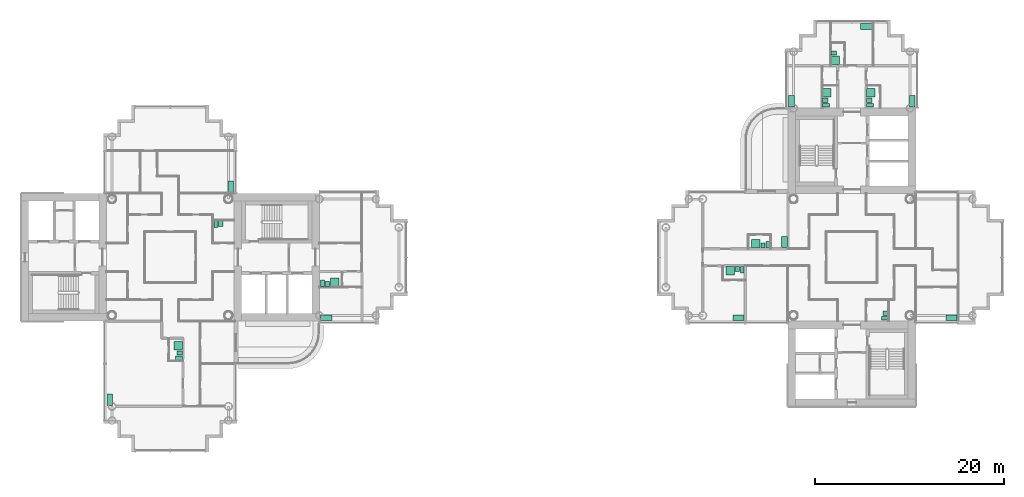
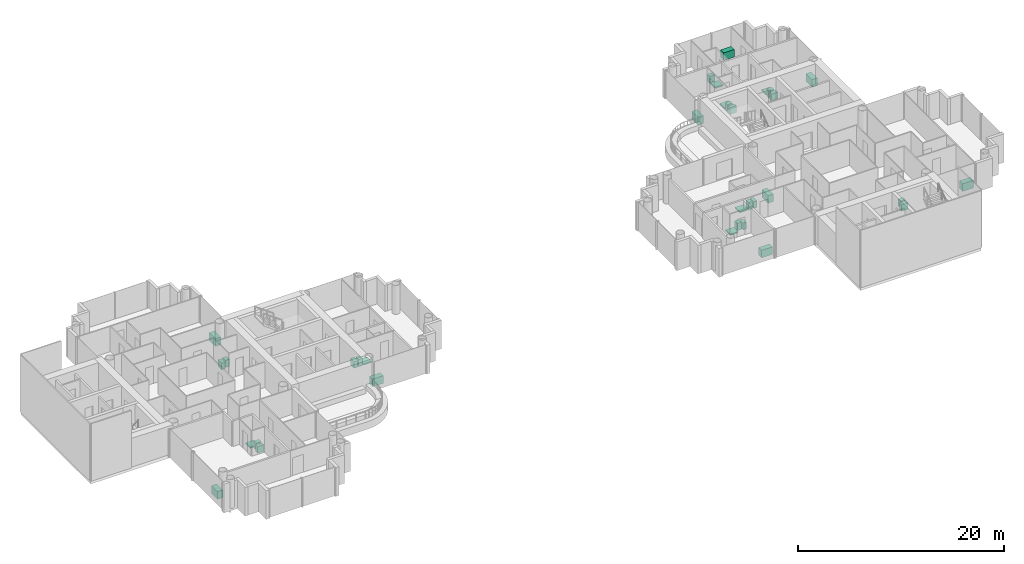
# One storey, part 20 of 20: 33 sanitary terminals.
"""IFC4 building model written with IfcOpenShell, lengths in metres."""

from ifc_helpers import new_model, si_unit, direction, frame, origin, origin_2d, place, context, subcontext, project, spatial, rectangle, extrude, material, type_object, element, save


model = new_model("IFC4")

# Units and contexts
model_context = context("Model", 3, precision=1e-05, world=origin(), true_north=direction((0.0, 1.0)))
body_context = subcontext(model_context, "Body", "Model", "MODEL_VIEW")
ifc_project = project(units=[si_unit("LENGTHUNIT", "METRE"), si_unit("AREAUNIT", "SQUARE_METRE"), si_unit("VOLUMEUNIT", "CUBIC_METRE"), si_unit("PLANEANGLEUNIT", "RADIAN"), si_unit("MASSUNIT", "GRAM", prefix="KILO")], contexts=[model_context])

# Site, building, storey
site_placement = place(None, origin())
site = spatial("IfcSite", under=ifc_project, at=site_placement, CompositionType="ELEMENT")
building_placement = place(site_placement, origin())
building = spatial("IfcBuilding", under=site, at=building_placement, Name="Ipe Terrace Towers", CompositionType="ELEMENT")
storey_placement = place(building_placement, frame((0.0, 0.0, 167.699951171875)))
storey = spatial("IfcBuildingStorey", under=building, at=storey_placement, Name="L46", CompositionType="ELEMENT", Elevation=167.699951171875)

# Sanitary terminals
ifc_material_1 = material(Name="Stainless sink unit", Category="metal")
sanitary_terminal_type_1 = type_object("IfcSanitaryTerminalType", Name="Kitchen sink unit", PredefinedType="SINK", material=ifc_material_1)
for number, where, z_axis, x_axis, name in (
    (1, (-29.6201171875, 7.469970703125, 0.0), (0.0, 0.0, 1.0), (0.0, -1.0, 0.0), "Kitchen sink unit"),
    (2, (-42.3798828125, -15.030029296875, 0.0), (0.0, 0.0, 1.0), (0.0, 1.0, 0.0), "Kitchen sink unit"),
    (3, (-19.530029296875, -6.3798828125, 0.0), (0.0, 0.0, 1.0), (-1.0, 0.0, 0.0), "Kitchen sink unit"),
    (4, (24.030029296875, -6.3798828125, 0.0), (0.0, 0.0, 1.0), (-1.0, 0.0, 0.0), "Kitchen sink unit"),
    (5, (28.8798828125, 1.6201171875, 0.0), (0.0, 0.0, 1.0), (0.0, -1.0, 0.0), "Kitchen sink unit"),
    (6, (46.530029296875, -6.3798828125, 0.0), (0.0, 0.0, 1.0), (-1.0, 0.0, 0.0), "Kitchen sink unit"),
    (7, (29.6201171875, 16.469970703125, 0.0), (0.0, 0.0, 1.0), (0.0, 1.0, 0.0), "Kitchen sink unit"),
    (8, (42.3798828125, 16.469970703125, 0.0), (0.0, 0.0, 1.0), (0.0, -1.0, 0.0), "Kitchen sink unit"),
    (9, (37.530029296875, 24.3798828125, 0.0), (0.0, 0.0, 1.0), (1.0, 0.0, 0.0), "Kitchen sink unit"),
):
    element("IfcSanitaryTerminal", number, at=place(storey_placement, frame(where, z_axis=z_axis, x_axis=x_axis)), inside=storey, type_object=sanitary_terminal_type_1, Name=name, PredefinedType="SINK", context=body_context, shape_type="SweptSolid", body=[
        extrude(rectangle(XDim=1.199951171875, YDim=0.60009765625, at=origin_2d()), origin(), (0.0, 0.0, 1.0), 0.89990234375),
    ])
ifc_material_2 = material(Name="Acrylic", Category="plastic")
sanitary_terminal_type_2 = type_object("IfcSanitaryTerminalType", Name="Shower tray", PredefinedType="SHOWER", material=ifc_material_2)
for number, where, z_axis, x_axis, name in (
    (10, (-35.169921875, -9.330078125, 0.0), (0.0, 0.0, 1.0), (-1.0, 0.0, 0.0), "Shower tray"),
    (11, (-18.6298828125, -2.6298828125, 0.0), (0.0, 0.0, 1.0), (0.0, 1.0, 0.0), "Shower tray"),
    (12, (23.1298828125, -1.419921875, 0.0), (0.0, 0.0, 1.0), (0.0, -1.0, 0.0), "Shower tray"),
    (13, (25.830078125, 1.419921875, 0.0), (0.0, 0.0, 1.0), (0.0, 1.0, 0.0), "Shower tray"),
    (14, (33.3701171875, 17.3701171875, 0.0), (0.0, 0.0, 1.0), (1.0, 0.0, 0.0), "Shower tray"),
    (15, (38.02001953125, 17.3701171875, 0.0), (0.0, 0.0, 1.0), (1.0, 0.0, 0.0), "Shower tray"),
    (16, (34.27001953125, 20.820068359375, 0.0), (0.0, 0.0, 1.0), (1.0, 0.0, 0.0), "Shower tray"),
):
    element("IfcSanitaryTerminal", number, at=place(storey_placement, frame(where, z_axis=z_axis, x_axis=x_axis)), inside=storey, type_object=sanitary_terminal_type_2, Name=name, PredefinedType="SHOWER", context=body_context, shape_type="SweptSolid", body=[
        extrude(rectangle(XDim=0.89990234375, YDim=0.89990234375, at=origin_2d()), origin(), (0.0, 0.0, 1.0), 0.14990234375),
    ])
ifc_material_3 = material(Name="Vitreous china", Category="ceramic")
sanitary_terminal_type_3 = type_object("IfcSanitaryTerminalType", Name="Wash basin", PredefinedType="WASHHANDBASIN", material=ifc_material_3)
for number, where, z_axis, x_axis, name in (
    (17, (-30.655029296875, 3.554931640625, 0.0), (0.0, 0.0, 1.0), (0.0, -1.0, 0.0), "Wash basin"),
    (18, (-34.9951171875, -10.10498046875, 0.0), (0.0, 0.0, 1.0), (-1.0, 0.0, 0.0), "Wash basin"),
    (19, (-19.405029296875, -2.804931640625, 0.0), (0.0, 0.0, 1.0), (0.0, 1.0, 0.0), "Wash basin"),
    (20, (39.554931640625, -5.905029296875, 0.0), (0.0, 0.0, 1.0), (-1.0, 0.0, 0.0), "Wash basin"),
    (21, (23.905029296875, -1.2451171875, 0.0), (0.0, 0.0, 1.0), (0.0, -1.0, 0.0), "Wash basin"),
    (22, (26.60498046875, 1.2451171875, 0.0), (0.0, 0.0, 1.0), (0.0, 1.0, 0.0), "Wash basin"),
    (23, (33.195068359375, 16.594970703125, 0.0), (0.0, 0.0, 1.0), (1.0, 0.0, 0.0), "Wash basin"),
    (24, (37.844970703125, 16.594970703125, 0.0), (0.0, 0.0, 1.0), (1.0, 0.0, 0.0), "Wash basin"),
    (25, (34.094970703125, 21.594970703125, 0.0), (0.0, 0.0, 1.0), (1.0, 0.0, 0.0), "Wash basin"),
):
    element("IfcSanitaryTerminal", number, at=place(storey_placement, frame(where, z_axis=z_axis, x_axis=x_axis)), inside=storey, type_object=sanitary_terminal_type_3, Name=name, PredefinedType="WASHHANDBASIN", context=body_context, shape_type="SweptSolid", body=[
        extrude(rectangle(XDim=0.550048828125, YDim=0.449951171875, at=origin_2d()), origin(), (0.0, 0.0, 1.0), 0.85009765625),
    ])
ifc_material_4 = material(Name="Vitreous china", Category="ceramic")
sanitary_terminal_type_4 = type_object("IfcSanitaryTerminalType", Name="Water closet", PredefinedType="TOILETPAN", material=ifc_material_4)
for number, where, z_axis, x_axis, name in (
    (26, (-31.179931640625, 3.47998046875, 0.0), (0.0, 0.0, 1.0), (0.0, -1.0, 0.0), "Water closet"),
    (27, (-35.070068359375, -10.6298828125, 0.0), (0.0, 0.0, 1.0), (-1.0, 0.0, 0.0), "Water closet"),
    (28, (-19.929931640625, -2.72998046875, 0.0), (0.0, 0.0, 1.0), (0.0, 1.0, 0.0), "Water closet"),
    (29, (39.47998046875, -6.429931640625, 0.0), (0.0, 0.0, 1.0), (-1.0, 0.0, 0.0), "Water closet"),
    (30, (24.429931640625, -1.320068359375, 0.0), (0.0, 0.0, 1.0), (0.0, -1.0, 0.0), "Water closet"),
    (31, (27.1298828125, 1.320068359375, 0.0), (0.0, 0.0, 1.0), (0.0, 1.0, 0.0), "Water closet"),
    (32, (33.27001953125, 16.070068359375, 0.0), (0.0, 0.0, 1.0), (1.0, 0.0, 0.0), "Water closet"),
    (33, (37.919921875, 16.070068359375, 0.0), (0.0, 0.0, 1.0), (1.0, 0.0, 0.0), "Water closet"),
):
    element("IfcSanitaryTerminal", number, at=place(storey_placement, frame(where, z_axis=z_axis, x_axis=x_axis)), inside=storey, type_object=sanitary_terminal_type_4, Name=name, PredefinedType="TOILETPAN", context=body_context, shape_type="SweptSolid", body=[
        extrude(rectangle(XDim=0.699951171875, YDim=0.39990234375, at=origin_2d()), origin(), (0.0, 0.0, 1.0), 0.780029296875),
    ])

save(model, "model.ifc")
